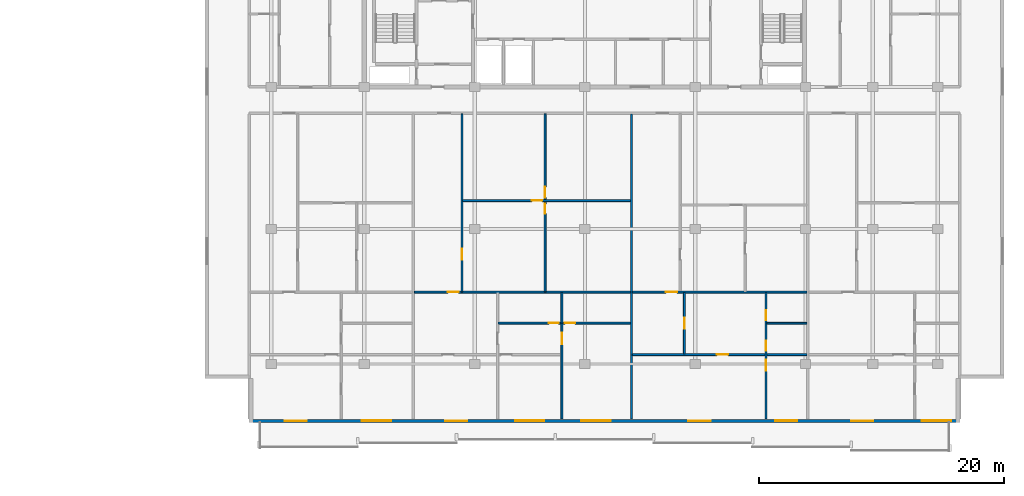
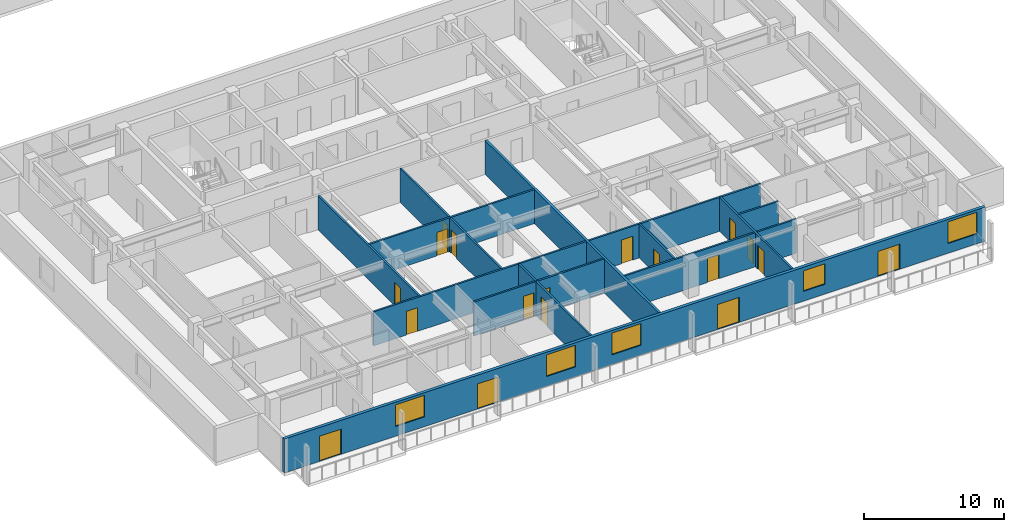
# One storey, part 5 of 22: 18 doors, 14 walls, 5 windows, 23 openings.
"""IFC4 building model written with IfcOpenShell, lengths in metres."""

from ifc_helpers import new_model, si_unit, direction, frame, frame_2d, origin, place, context, subcontext, project, spatial, rectangle, extrude, material, layer, layer_set, type_object, element, fill, save


model = new_model("IFC4")

# Units and contexts
model_context = context("Model", 3, precision=1e-05, world=origin(), true_north=direction((0.0, 1.0)))
body_context = subcontext(model_context, "Body", "Model", "MODEL_VIEW")
ifc_project = project(units=[si_unit("LENGTHUNIT", "METRE"), si_unit("AREAUNIT", "SQUARE_METRE"), si_unit("VOLUMEUNIT", "CUBIC_METRE"), si_unit("PLANEANGLEUNIT", "RADIAN"), si_unit("MASSUNIT", "GRAM", prefix="KILO")], contexts=[model_context])

# Site, building, storey
site_placement = place(None, origin())
site = spatial("IfcSite", under=ifc_project, at=site_placement, CompositionType="ELEMENT")
building_placement = place(site_placement, origin())
building = spatial("IfcBuilding", under=site, at=building_placement, Name="Korimba Cascade Residences", CompositionType="ELEMENT")
storey_placement = place(building_placement, frame((0.0, 0.0, 84.050048828125)))
storey = spatial("IfcBuildingStorey", under=building, at=storey_placement, Name="L23", CompositionType="ELEMENT", Elevation=84.050048828125)

# Wall, openings, doors, windows
ifc_material_1 = material(Name="Precast concrete C40/50", Category="concrete")
ifc_layer_1 = layer(ifc_material_1, 0.25)
ifc_layer_set_1 = layer_set([ifc_layer_1], Name="Precast concrete C40/50")
wall_type_1 = type_object("IfcWallType", Name="EW-LOG-250", PredefinedType="STANDARD", material=ifc_layer_set_1)
wall_1_placement = place(storey_placement, frame((72.699951171875, -8.85009765625, 0.0), z_axis=(0.0, 0.0, 1.0), x_axis=(1.0, 0.0, 0.0)))
wall_1 = element("IfcWall", 1, at=wall_1_placement, inside=storey, type_object=wall_type_1, Name="L23 T2 Perimeter Stone Wall E00", PredefinedType="STANDARD", context=body_context, shape_type="SweptSolid", body=[
    extrude(rectangle(XDim=58.0, YDim=0.25, at=frame_2d((29.0, 0.0))), origin(), (0.0, 0.0, 1.0), 2.969970703125),
])
opening_1_placement = place(wall_1_placement, frame((2.919921875, 0.0, 0.0)))
opening_1 = element("IfcOpeningElement", 2, at=opening_1_placement, cuts=wall_1, Name="Opening D-LG1", PredefinedType="OPENING", context=body_context, shape_type="SweptSolid", body=[
    extrude(rectangle(XDim=1.800048828125, YDim=2.199951171875, at=frame_2d((0.89990234375, 1.10009765625))), frame((0.0, 0.135009765625, 0.0), z_axis=(0.0, -1.0, 0.0), x_axis=(1.0, 0.0, 0.0)), (0.0, 0.0, 1.0), 0.27001953125),
])
opening_2_placement = place(wall_1_placement, frame((9.199951171875, 0.0, 0.85009765625)))
opening_2 = element("IfcOpeningElement", 3, at=opening_2_placement, cuts=wall_1, Name="Opening W-01", PredefinedType="OPENING", context=body_context, shape_type="SweptSolid", body=[
    extrude(rectangle(XDim=2.39990234375, YDim=1.89990234375, at=frame_2d((1.199951171875, 0.949951171875))), frame((0.0, 0.135009765625, 0.0), z_axis=(0.0, -1.0, 0.0), x_axis=(1.0, 0.0, 0.0)), (0.0, 0.0, 1.0), 0.27001953125),
])
opening_3_placement = place(wall_1_placement, frame((21.699951171875, 0.0, 0.85009765625)))
opening_3 = element("IfcOpeningElement", 4, at=opening_3_placement, cuts=wall_1, Name="Opening W-01", PredefinedType="OPENING", context=body_context, shape_type="SweptSolid", body=[
    extrude(rectangle(XDim=2.39990234375, YDim=1.89990234375, at=frame_2d((1.199951171875, 0.949951171875))), frame((0.0, 0.135009765625, 0.0), z_axis=(0.0, -1.0, 0.0), x_axis=(1.0, 0.0, 0.0)), (0.0, 0.0, 1.0), 0.27001953125),
])
opening_4_placement = place(wall_1_placement, frame((16.0, 0.0, 0.0)))
opening_4 = element("IfcOpeningElement", 5, at=opening_4_placement, cuts=wall_1, Name="Opening D-LG1", PredefinedType="OPENING", context=body_context, shape_type="SweptSolid", body=[
    extrude(rectangle(XDim=1.800048828125, YDim=2.199951171875, at=frame_2d((0.89990234375, 1.10009765625))), frame((0.0, 0.135009765625, 0.0), z_axis=(0.0, -1.0, 0.0), x_axis=(1.0, 0.0, 0.0)), (0.0, 0.0, 1.0), 0.27001953125),
])
opening_5_placement = place(wall_1_placement, frame((27.10009765625, 0.0, 0.85009765625)))
opening_5 = element("IfcOpeningElement", 6, at=opening_5_placement, cuts=wall_1, Name="Opening W-01", PredefinedType="OPENING", context=body_context, shape_type="SweptSolid", body=[
    extrude(rectangle(XDim=2.39990234375, YDim=1.89990234375, at=frame_2d((1.199951171875, 0.949951171875))), frame((0.0, 0.135009765625, 0.0), z_axis=(0.0, -1.0, 0.0), x_axis=(1.0, 0.0, 0.0)), (0.0, 0.0, 1.0), 0.27001953125),
])
opening_6_placement = place(wall_1_placement, frame((35.85009765625, 0.0, 0.0)))
opening_6 = element("IfcOpeningElement", 7, at=opening_6_placement, cuts=wall_1, Name="Opening D-LG1", PredefinedType="OPENING", context=body_context, shape_type="SweptSolid", body=[
    extrude(rectangle(XDim=1.800048828125, YDim=2.199951171875, at=frame_2d((0.89990234375, 1.10009765625))), frame((0.0, 0.135009765625, 0.0), z_axis=(0.0, -1.0, 0.0), x_axis=(1.0, 0.0, 0.0)), (0.0, 0.0, 1.0), 0.27001953125),
])
opening_7_placement = place(wall_1_placement, frame((42.929931640625, 0.0, 0.85009765625)))
opening_7 = element("IfcOpeningElement", 8, at=opening_7_placement, cuts=wall_1, Name="Opening W-02", PredefinedType="OPENING", context=body_context, shape_type="SweptSolid", body=[
    extrude(rectangle(XDim=1.800048828125, YDim=1.800048828125, at=frame_2d((0.89990234375, 0.89990234375))), frame((0.0, 0.135009765625, 0.0), z_axis=(0.0, -1.0, 0.0), x_axis=(1.0, 0.0, 0.0)), (0.0, 0.0, 1.0), 0.27001953125),
])
opening_8_placement = place(wall_1_placement, frame((49.1201171875, 0.0, 0.0)))
opening_8 = element("IfcOpeningElement", 9, at=opening_8_placement, cuts=wall_1, Name="Opening D-LG1", PredefinedType="OPENING", context=body_context, shape_type="SweptSolid", body=[
    extrude(rectangle(XDim=1.800048828125, YDim=2.199951171875, at=frame_2d((0.89990234375, 1.10009765625))), frame((0.0, 0.135009765625, 0.0), z_axis=(0.0, -1.0, 0.0), x_axis=(1.0, 0.0, 0.0)), (0.0, 0.0, 1.0), 0.27001953125),
])
opening_9_placement = place(wall_1_placement, frame((54.89990234375, 0.0, 0.85009765625)))
opening_9 = element("IfcOpeningElement", 10, at=opening_9_placement, cuts=wall_1, Name="Opening W-01", PredefinedType="OPENING", context=body_context, shape_type="SweptSolid", body=[
    extrude(rectangle(XDim=2.39990234375, YDim=1.89990234375, at=frame_2d((1.199951171875, 0.949951171875))), frame((0.0, 0.135009765625, 0.0), z_axis=(0.0, -1.0, 0.0), x_axis=(1.0, 0.0, 0.0)), (0.0, 0.0, 1.0), 0.27001953125),
])
ifc_material_2 = material(Name="Glazed Aluminium Loggia Sliding Door", Category="aluminium")
door_type_1 = type_object("IfcDoorType", Name="DR-EXT-LOG", OperationType="NOTDEFINED", PredefinedType="DOOR", material=ifc_material_2)
door_1_placement = place(opening_1_placement, origin())
door_1 = element("IfcDoor", 11, at=door_1_placement, inside=storey, type_object=door_type_1, Name="L23 T2 Loggia Sliding Door 3", OperationType="SLIDING_TO_RIGHT", OverallHeight=2.199951171875, OverallWidth=1.800048828125, PredefinedType="DOOR", context=body_context, shape_type="SweptSolid", body=[
    extrude(rectangle(XDim=1.800048828125, YDim=2.199951171875, at=frame_2d((0.89990234375, 1.10009765625))), frame((0.0, 0.02490234375, 0.0), z_axis=(0.0, -1.0, 0.0), x_axis=(1.0, 0.0, 0.0)), (0.0, 0.0, 1.0), 0.050048828125),
])
fill(opening_1, door_1)
door_2_placement = place(opening_4_placement, origin())
door_2 = element("IfcDoor", 12, at=door_2_placement, inside=storey, type_object=door_type_1, Name="L23 T2 Loggia Sliding Door 6", OperationType="SLIDING_TO_RIGHT", OverallHeight=2.199951171875, OverallWidth=1.800048828125, PredefinedType="DOOR", context=body_context, shape_type="SweptSolid", body=[
    extrude(rectangle(XDim=1.800048828125, YDim=2.199951171875, at=frame_2d((0.89990234375, 1.10009765625))), frame((0.0, 0.02490234375, 0.0), z_axis=(0.0, -1.0, 0.0), x_axis=(1.0, 0.0, 0.0)), (0.0, 0.0, 1.0), 0.050048828125),
])
fill(opening_4, door_2)
door_3_placement = place(opening_6_placement, origin())
door_3 = element("IfcDoor", 13, at=door_3_placement, inside=storey, type_object=door_type_1, Name="L23 T2 Loggia Sliding Door 8", OperationType="SLIDING_TO_RIGHT", OverallHeight=2.199951171875, OverallWidth=1.800048828125, PredefinedType="DOOR", context=body_context, shape_type="SweptSolid", body=[
    extrude(rectangle(XDim=1.800048828125, YDim=2.199951171875, at=frame_2d((0.89990234375, 1.10009765625))), frame((0.0, 0.02490234375, 0.0), z_axis=(0.0, -1.0, 0.0), x_axis=(1.0, 0.0, 0.0)), (0.0, 0.0, 1.0), 0.050048828125),
])
fill(opening_6, door_3)
door_4_placement = place(opening_8_placement, origin())
door_4 = element("IfcDoor", 14, at=door_4_placement, inside=storey, type_object=door_type_1, Name="L23 T2 Loggia Sliding Door 10", OperationType="SLIDING_TO_RIGHT", OverallHeight=2.199951171875, OverallWidth=1.800048828125, PredefinedType="DOOR", context=body_context, shape_type="SweptSolid", body=[
    extrude(rectangle(XDim=1.800048828125, YDim=2.199951171875, at=frame_2d((0.89990234375, 1.10009765625))), frame((0.0, 0.02490234375, 0.0), z_axis=(0.0, -1.0, 0.0), x_axis=(1.0, 0.0, 0.0)), (0.0, 0.0, 1.0), 0.050048828125),
])
fill(opening_8, door_4)
ifc_material_3 = material(Name="Double-Glazed Aluminium Window", Category="aluminium")
window_type_1 = type_object("IfcWindowType", Name="WIN-BED-1800", PartitioningType="SINGLE_PANEL", PredefinedType="WINDOW", material=ifc_material_3)
window_1_placement = place(opening_7_placement, origin())
window_1 = element("IfcWindow", 15, at=window_1_placement, inside=storey, type_object=window_type_1, Name="L23 T2 South Facade Window 9", OverallHeight=1.800048828125, OverallWidth=1.800048828125, PartitioningType="SINGLE_PANEL", PredefinedType="WINDOW", context=body_context, shape_type="SweptSolid", body=[
    extrude(rectangle(XDim=1.800048828125, YDim=1.800048828125, at=frame_2d((0.89990234375, 0.89990234375))), frame((0.0, 0.030029296875, 0.0), z_axis=(0.0, -1.0, 0.0), x_axis=(1.0, 0.0, 0.0)), (0.0, 0.0, 1.0), 0.06005859375),
])
fill(opening_7, window_1)
window_type_2 = type_object("IfcWindowType", Name="WIN-RES-2400", PartitioningType="DOUBLE_PANEL_VERTICAL", PredefinedType="WINDOW", material=ifc_material_3)
window_2_placement = place(opening_2_placement, origin())
window_2 = element("IfcWindow", 16, at=window_2_placement, inside=storey, type_object=window_type_2, Name="L23 T2 South Facade Window 4", OverallHeight=1.89990234375, OverallWidth=2.39990234375, PartitioningType="DOUBLE_PANEL_VERTICAL", PredefinedType="WINDOW", context=body_context, shape_type="SweptSolid", body=[
    extrude(rectangle(XDim=2.39990234375, YDim=1.89990234375, at=frame_2d((1.199951171875, 0.949951171875))), frame((0.0, 0.030029296875, 0.0), z_axis=(0.0, -1.0, 0.0), x_axis=(1.0, 0.0, 0.0)), (0.0, 0.0, 1.0), 0.06005859375),
])
fill(opening_2, window_2)
window_3_placement = place(opening_3_placement, origin())
window_3 = element("IfcWindow", 17, at=window_3_placement, inside=storey, type_object=window_type_2, Name="L23 T2 South Facade Window 5", OverallHeight=1.89990234375, OverallWidth=2.39990234375, PartitioningType="DOUBLE_PANEL_VERTICAL", PredefinedType="WINDOW", context=body_context, shape_type="SweptSolid", body=[
    extrude(rectangle(XDim=2.39990234375, YDim=1.89990234375, at=frame_2d((1.199951171875, 0.949951171875))), frame((0.0, 0.030029296875, 0.0), z_axis=(0.0, -1.0, 0.0), x_axis=(1.0, 0.0, 0.0)), (0.0, 0.0, 1.0), 0.06005859375),
])
fill(opening_3, window_3)
window_4_placement = place(opening_5_placement, origin())
window_4 = element("IfcWindow", 18, at=window_4_placement, inside=storey, type_object=window_type_2, Name="L23 T2 South Facade Window 7", OverallHeight=1.89990234375, OverallWidth=2.39990234375, PartitioningType="DOUBLE_PANEL_VERTICAL", PredefinedType="WINDOW", context=body_context, shape_type="SweptSolid", body=[
    extrude(rectangle(XDim=2.39990234375, YDim=1.89990234375, at=frame_2d((1.199951171875, 0.949951171875))), frame((0.0, 0.030029296875, 0.0), z_axis=(0.0, -1.0, 0.0), x_axis=(1.0, 0.0, 0.0)), (0.0, 0.0, 1.0), 0.06005859375),
])
fill(opening_5, window_4)
window_5_placement = place(opening_9_placement, origin())
window_5 = element("IfcWindow", 19, at=window_5_placement, inside=storey, type_object=window_type_2, Name="L23 T2 South Facade Window 11", OverallHeight=1.89990234375, OverallWidth=2.39990234375, PartitioningType="DOUBLE_PANEL_VERTICAL", PredefinedType="WINDOW", context=body_context, shape_type="SweptSolid", body=[
    extrude(rectangle(XDim=2.39990234375, YDim=1.89990234375, at=frame_2d((1.199951171875, 0.949951171875))), frame((0.0, 0.030029296875, 0.0), z_axis=(0.0, -1.0, 0.0), x_axis=(1.0, 0.0, 0.0)), (0.0, 0.0, 1.0), 0.06005859375),
])
fill(opening_9, window_5)

# Wall
ifc_layer_2 = layer(ifc_material_1, 0.199951171875)
ifc_layer_set_2 = layer_set([ifc_layer_2], Name="Precast concrete C40/50")
wall_type_2 = type_object("IfcWallType", Name="WAL-IT-200", PredefinedType="PARTITIONING", material=ifc_layer_set_2)
wall_2_placement = place(storey_placement, frame((103.89990234375, -8.699951171875, 0.0), z_axis=(0.0, 0.0, 1.0), x_axis=(0.0, 1.0, 0.0)))
element("IfcWall", 20, at=wall_2_placement, inside=storey, type_object=wall_type_2, Name="L23 Partition Wall WAL-L23-T2-DEM-2", PredefinedType="PARTITIONING", context=body_context, shape_type="SweptSolid", body=[
    extrude(rectangle(XDim=24.869873046875, YDim=0.199951171875, at=frame_2d((12.43505859375, 0.0))), origin(), (0.0, 0.0, 1.0), 2.969970703125),
])

# Wall, openings, doors
ifc_material_4 = material(Name="Insulated Acoustic Stud Partition", Category="gypsum")
ifc_layer_3 = layer(ifc_material_4, 0.14990234375)
ifc_layer_set_3 = layer_set([ifc_layer_3], Name="Insulated Acoustic Stud Partition")
wall_type_3 = type_object("IfcWallType", Name="WAL-PART-150", PredefinedType="PARTITIONING", material=ifc_layer_set_3)
wall_3_placement = place(storey_placement, frame((96.85498046875, 1.68994140625, 0.0), z_axis=(0.0, 0.0, 1.0), x_axis=(0.0, 1.0, 0.0)))
wall_3 = element("IfcWall", 21, at=wall_3_placement, inside=storey, type_object=wall_type_3, Name="L23 Partition Wall WAL-L23-T2-U02-FMV", PredefinedType="PARTITIONING", context=body_context, shape_type="SweptSolid", body=[
    extrude(rectangle(XDim=14.5, YDim=0.14990234375, at=frame_2d((7.25, 0.0))), origin(), (0.0, 0.0, 1.0), 2.969970703125),
])
opening_10_placement = place(wall_3_placement, frame((6.340087890625, 0.0, 0.0)))
opening_10 = element("IfcOpeningElement", 22, at=opening_10_placement, cuts=wall_3, Name="Opening D-BT1", PredefinedType="OPENING", context=body_context, shape_type="SweptSolid", body=[
    extrude(rectangle(XDim=0.840087890625, YDim=2.0400390625, at=frame_2d((0.419921875, 1.02001953125))), frame((0.0, 0.0849609375, 0.0), z_axis=(0.0, -1.0, 0.0), x_axis=(1.0, 0.0, 0.0)), (0.0, 0.0, 1.0), 0.169921875),
])
opening_11_placement = place(wall_3_placement, frame((7.679931640625, 0.0, 0.0)))
opening_11 = element("IfcOpeningElement", 23, at=opening_11_placement, cuts=wall_3, Name="Opening D-IN2", PredefinedType="OPENING", context=body_context, shape_type="SweptSolid", body=[
    extrude(rectangle(XDim=0.8798828125, YDim=2.06005859375, at=frame_2d((0.43994140625, 1.030029296875))), frame((0.0, 0.0849609375, 0.0), z_axis=(0.0, -1.0, 0.0), x_axis=(1.0, 0.0, 0.0)), (0.0, 0.0, 1.0), 0.169921875),
])
ifc_material_5 = material(Name="Moisture-Resistant Bathroom Timber Door", Category="wood")
door_type_2 = type_object("IfcDoorType", Name="DR-INT-850", OperationType="NOTDEFINED", PredefinedType="DOOR", material=ifc_material_5)
door_5_placement = place(opening_10_placement, origin())
door_5 = element("IfcDoor", 24, at=door_5_placement, inside=storey, type_object=door_type_2, Name="L23-T2-U02 Wardrobe Door", OperationType="SINGLE_SWING_RIGHT", OverallHeight=2.0400390625, OverallWidth=0.840087890625, PredefinedType="DOOR", context=body_context, shape_type="SweptSolid", body=[
    extrude(rectangle(XDim=0.840087890625, YDim=2.0400390625, at=frame_2d((0.419921875, 1.02001953125))), frame((0.0, 0.02490234375, 0.0), z_axis=(0.0, -1.0, 0.0), x_axis=(1.0, 0.0, 0.0)), (0.0, 0.0, 1.0), 0.050048828125),
])
fill(opening_10, door_5)
ifc_material_6 = material(Name="Acoustic Timber Bedroom Door", Category="wood")
door_type_3 = type_object("IfcDoorType", Name="DR-INT-880", OperationType="NOTDEFINED", PredefinedType="DOOR", material=ifc_material_6)
door_6_placement = place(opening_11_placement, origin())
door_6 = element("IfcDoor", 25, at=door_6_placement, inside=storey, type_object=door_type_3, Name="L23-T2-U02 Music Lounge Door", OperationType="SINGLE_SWING_LEFT", OverallHeight=2.06005859375, OverallWidth=0.8798828125, PredefinedType="DOOR", context=body_context, shape_type="SweptSolid", body=[
    extrude(rectangle(XDim=0.8798828125, YDim=2.06005859375, at=frame_2d((0.43994140625, 1.030029296875))), frame((0.0, 0.02490234375, 0.0), z_axis=(0.0, -1.0, 0.0), x_axis=(1.0, 0.0, 0.0)), (0.0, 0.0, 1.0), 0.050048828125),
])
fill(opening_11, door_6)

# Wall, opening, door
wall_4_placement = place(storey_placement, frame((90.1298828125, 9.1201171875, 0.0), z_axis=(0.0, 0.0, 1.0), x_axis=(1.0, 0.0, 0.0)))
wall_4 = element("IfcWall", 26, at=wall_4_placement, inside=storey, type_object=wall_type_3, Name="L23 Partition Wall WAL-L23-T2-U02-FMH", PredefinedType="PARTITIONING", context=body_context, shape_type="SweptSolid", body=[
    extrude(rectangle(XDim=13.690185546875, YDim=0.14990234375, at=frame_2d((6.84521484375, 0.0))), origin(), (0.0, 0.0, 1.0), 2.969970703125),
])
opening_12_placement = place(wall_4_placement, frame((5.625, 0.0, 0.0)))
opening_12 = element("IfcOpeningElement", 27, at=opening_12_placement, cuts=wall_4, Name="Opening D-IN2", PredefinedType="OPENING", context=body_context, shape_type="SweptSolid", body=[
    extrude(rectangle(XDim=0.8798828125, YDim=2.06005859375, at=frame_2d((0.43994140625, 1.030029296875))), frame((0.0, 0.0849609375, 0.0), z_axis=(0.0, -1.0, 0.0), x_axis=(1.0, 0.0, 0.0)), (0.0, 0.0, 1.0), 0.169921875),
])
door_7_placement = place(opening_12_placement, origin())
door_7 = element("IfcDoor", 28, at=door_7_placement, inside=storey, type_object=door_type_3, Name="L23-T2-U02 Library Salon Door", OperationType="SINGLE_SWING_RIGHT", OverallHeight=2.06005859375, OverallWidth=0.8798828125, PredefinedType="DOOR", context=body_context, shape_type="SweptSolid", body=[
    extrude(rectangle(XDim=0.8798828125, YDim=2.06005859375, at=frame_2d((0.43994140625, 1.030029296875))), frame((0.0, 0.02490234375, 0.0), z_axis=(0.0, -1.0, 0.0), x_axis=(1.0, 0.0, 0.0)), (0.0, 0.0, 1.0), 0.050048828125),
])
fill(opening_12, door_7)

wall_5_placement = place(storey_placement, frame((90.070068359375, 1.68994140625, 0.0), z_axis=(0.0, 0.0, 1.0), x_axis=(0.0, 1.0, 0.0)))
wall_5 = element("IfcWall", 29, at=wall_5_placement, inside=storey, type_object=wall_type_3, Name="L23 Partition Wall WAL-L23-T2-U02-FV", PredefinedType="PARTITIONING", context=body_context, shape_type="SweptSolid", body=[
    extrude(rectangle(XDim=14.5, YDim=0.14990234375, at=frame_2d((7.25, 0.0))), origin(), (0.0, 0.0, 1.0), 2.969970703125),
])
opening_13_placement = place(wall_5_placement, frame((2.611083984375, 0.0, 0.0)))
opening_13 = element("IfcOpeningElement", 30, at=opening_13_placement, cuts=wall_5, Name="Opening D-IN2", PredefinedType="OPENING", context=body_context, shape_type="SweptSolid", body=[
    extrude(rectangle(XDim=0.8798828125, YDim=2.06005859375, at=frame_2d((0.43994140625, 1.030029296875))), frame((0.0, 0.0849609375, 0.0), z_axis=(0.0, -1.0, 0.0), x_axis=(1.0, 0.0, 0.0)), (0.0, 0.0, 1.0), 0.169921875),
])
door_8_placement = place(opening_13_placement, origin())
door_8 = element("IfcDoor", 31, at=door_8_placement, inside=storey, type_object=door_type_3, Name="L23-T2-U02 Media Lounge Door", OperationType="SINGLE_SWING_LEFT", OverallHeight=2.06005859375, OverallWidth=0.8798828125, PredefinedType="DOOR", context=body_context, shape_type="SweptSolid", body=[
    extrude(rectangle(XDim=0.8798828125, YDim=2.06005859375, at=frame_2d((0.43994140625, 1.030029296875))), frame((0.0, 0.02490234375, 0.0), z_axis=(0.0, -1.0, 0.0), x_axis=(1.0, 0.0, 0.0)), (0.0, 0.0, 1.0), 0.050048828125),
])
fill(opening_13, door_8)

# Wall
wall_6_placement = place(storey_placement, frame((98.219970703125, -0.860107421875, 0.0), z_axis=(0.0, 0.0, 1.0), x_axis=(0.0, 1.0, 0.0)))
element("IfcWall", 32, at=wall_6_placement, inside=storey, type_object=wall_type_3, Name="L23 Partition Wall WAL-L23-T2-U02-VBATH", PredefinedType="PARTITIONING", context=body_context, shape_type="SweptSolid", body=[
    extrude(rectangle(XDim=2.47021484375, YDim=0.14990234375, at=frame_2d((1.235107421875, 0.0))), origin(), (0.0, 0.0, 1.0), 2.969970703125),
])

# Wall, opening, door
wall_7_placement = place(storey_placement, frame((98.219970703125, -8.699951171875, 0.0), z_axis=(0.0, 0.0, 1.0), x_axis=(0.0, 1.0, 0.0)))
wall_7 = element("IfcWall", 33, at=wall_7_placement, inside=storey, type_object=wall_type_3, Name="L23 Partition Wall WAL-L23-T2-U02-V2FULL", PredefinedType="PARTITIONING", context=body_context, shape_type="SweptSolid", body=[
    extrude(rectangle(XDim=7.800048828125, YDim=0.14990234375, at=frame_2d((3.89990234375, 0.0))), origin(), (0.0, 0.0, 1.0), 2.969970703125),
])
opening_14_placement = place(wall_7_placement, frame((6.115966796875, 0.0, 0.0)))
opening_14 = element("IfcOpeningElement", 34, at=opening_14_placement, cuts=wall_7, Name="Opening D-IN1", PredefinedType="OPENING", context=body_context, shape_type="SweptSolid", body=[
    extrude(rectangle(XDim=0.919921875, YDim=2.080078125, at=frame_2d((0.4599609375, 1.0400390625))), frame((0.0, 0.0849609375, 0.0), z_axis=(0.0, -1.0, 0.0), x_axis=(1.0, 0.0, 0.0)), (0.0, 0.0, 1.0), 0.169921875),
])
ifc_material_7 = material(Name="Acoustic Timber Living Door", Category="wood")
door_type_4 = type_object("IfcDoorType", Name="DR-INT-920", OperationType="NOTDEFINED", PredefinedType="DOOR", material=ifc_material_7)
door_9_placement = place(opening_14_placement, origin())
door_9 = element("IfcDoor", 35, at=door_9_placement, inside=storey, type_object=door_type_4, Name="L23-T2-U02 Master Bedroom Door", OperationType="SINGLE_SWING_LEFT", OverallHeight=2.080078125, OverallWidth=0.919921875, PredefinedType="DOOR", context=body_context, shape_type="SweptSolid", body=[
    extrude(rectangle(XDim=0.919921875, YDim=2.080078125, at=frame_2d((0.4599609375, 1.0400390625))), frame((0.0, 0.02490234375, 0.0), z_axis=(0.0, -1.0, 0.0), x_axis=(1.0, 0.0, 0.0)), (0.0, 0.0, 1.0), 0.050048828125),
])
fill(opening_14, door_9)

# Wall, openings, doors
wall_8_placement = place(storey_placement, frame((93.02001953125, -0.8798828125, 0.0), z_axis=(0.0, 0.0, 1.0), x_axis=(1.0, 0.0, 0.0)))
wall_8 = element("IfcWall", 36, at=wall_8_placement, inside=storey, type_object=wall_type_3, Name="L23 Partition Wall WAL-L23-T2-U02-HWALL", PredefinedType="PARTITIONING", context=body_context, shape_type="SweptSolid", body=[
    extrude(rectangle(XDim=10.800048828125, YDim=0.14990234375, at=frame_2d((5.39990234375, 0.0))), origin(), (0.0, 0.0, 1.0), 2.969970703125),
])
opening_15_placement = place(wall_8_placement, frame((4.110107421875, 0.0, 0.0)))
opening_15 = element("IfcOpeningElement", 37, at=opening_15_placement, cuts=wall_8, Name="Opening D-BT1", PredefinedType="OPENING", context=body_context, shape_type="SweptSolid", body=[
    extrude(rectangle(XDim=0.840087890625, YDim=2.0400390625, at=frame_2d((0.419921875, 1.02001953125))), frame((0.0, 0.0849609375, 0.0), z_axis=(0.0, -1.0, 0.0), x_axis=(1.0, 0.0, 0.0)), (0.0, 0.0, 1.0), 0.169921875),
])
opening_16_placement = place(wall_8_placement, frame((5.449951171875, 0.0, 0.0)))
opening_16 = element("IfcOpeningElement", 38, at=opening_16_placement, cuts=wall_8, Name="Opening D-BT1", PredefinedType="OPENING", context=body_context, shape_type="SweptSolid", body=[
    extrude(rectangle(XDim=0.840087890625, YDim=2.0400390625, at=frame_2d((0.419921875, 1.02001953125))), frame((0.0, 0.0849609375, 0.0), z_axis=(0.0, -1.0, 0.0), x_axis=(1.0, 0.0, 0.0)), (0.0, 0.0, 1.0), 0.169921875),
])
door_10_placement = place(opening_15_placement, origin())
door_10 = element("IfcDoor", 39, at=door_10_placement, inside=storey, type_object=door_type_2, Name="L23-T2-U02 Family Bathroom Door", OperationType="SINGLE_SWING_RIGHT", OverallHeight=2.0400390625, OverallWidth=0.840087890625, PredefinedType="DOOR", context=body_context, shape_type="SweptSolid", body=[
    extrude(rectangle(XDim=0.840087890625, YDim=2.0400390625, at=frame_2d((0.419921875, 1.02001953125))), frame((0.0, 0.02490234375, 0.0), z_axis=(0.0, -1.0, 0.0), x_axis=(1.0, 0.0, 0.0)), (0.0, 0.0, 1.0), 0.050048828125),
])
fill(opening_15, door_10)
door_11_placement = place(opening_16_placement, origin())
door_11 = element("IfcDoor", 40, at=door_11_placement, inside=storey, type_object=door_type_2, Name="L23-T2-U02 En-Suite Door", OperationType="SINGLE_SWING_LEFT", OverallHeight=2.0400390625, OverallWidth=0.840087890625, PredefinedType="DOOR", context=body_context, shape_type="SweptSolid", body=[
    extrude(rectangle(XDim=0.840087890625, YDim=2.0400390625, at=frame_2d((0.419921875, 1.02001953125))), frame((0.0, 0.02490234375, 0.0), z_axis=(0.0, -1.0, 0.0), x_axis=(1.0, 0.0, 0.0)), (0.0, 0.0, 1.0), 0.050048828125),
])
fill(opening_16, door_11)

# Wall, opening, door
wall_9_placement = place(storey_placement, frame((86.179931640625, 1.64990234375, 0.0), z_axis=(0.0, 0.0, 1.0), x_axis=(1.0, 0.0, 0.0)))
wall_9 = element("IfcWall", 41, at=wall_9_placement, inside=storey, type_object=wall_type_3, Name="L23 Partition Wall WAL-L23-T2-U02-MW", PredefinedType="PARTITIONING", context=body_context, shape_type="SweptSolid", body=[
    extrude(rectangle(XDim=17.64013671875, YDim=0.14990234375, at=frame_2d((8.820068359375, 0.0))), origin(), (0.0, 0.0, 1.0), 2.969970703125),
])
opening_17_placement = place(wall_9_placement, frame((2.719970703125, 0.0, 0.0)))
opening_17 = element("IfcOpeningElement", 42, at=opening_17_placement, cuts=wall_9, Name="Opening D-IN1", PredefinedType="OPENING", context=body_context, shape_type="SweptSolid", body=[
    extrude(rectangle(XDim=0.919921875, YDim=2.080078125, at=frame_2d((0.4599609375, 1.0400390625))), frame((0.0, 0.0849609375, 0.0), z_axis=(0.0, -1.0, 0.0), x_axis=(1.0, 0.0, 0.0)), (0.0, 0.0, 1.0), 0.169921875),
])
door_12_placement = place(opening_17_placement, origin())
door_12 = element("IfcDoor", 43, at=door_12_placement, inside=storey, type_object=door_type_4, Name="L23-T2-U02 Kitchen Door", OperationType="SINGLE_SWING_RIGHT", OverallHeight=2.080078125, OverallWidth=0.919921875, PredefinedType="DOOR", context=body_context, shape_type="SweptSolid", body=[
    extrude(rectangle(XDim=0.919921875, YDim=2.080078125, at=frame_2d((0.4599609375, 1.0400390625))), frame((0.0, 0.02490234375, 0.0), z_axis=(0.0, -1.0, 0.0), x_axis=(1.0, 0.0, 0.0)), (0.0, 0.0, 1.0), 0.050048828125),
])
fill(opening_17, door_12)

wall_10_placement = place(storey_placement, frame((108.219970703125, -3.389892578125, 0.0), z_axis=(0.0, 0.0, 1.0), x_axis=(0.0, 1.0, 0.0)))
wall_10 = element("IfcWall", 44, at=wall_10_placement, inside=storey, type_object=wall_type_3, Name="L23 Partition Wall WAL-L23-T2-U03-VDIN", PredefinedType="PARTITIONING", context=body_context, shape_type="SweptSolid", body=[
    extrude(rectangle(XDim=5.0, YDim=0.14990234375, at=frame_2d((2.5, 0.0))), origin(), (0.0, 0.0, 1.0), 2.969970703125),
])
opening_18_placement = place(wall_10_placement, frame((2.06005859375, 0.0, 0.0)))
opening_18 = element("IfcOpeningElement", 45, at=opening_18_placement, cuts=wall_10, Name="Opening D-IN2", PredefinedType="OPENING", context=body_context, shape_type="SweptSolid", body=[
    extrude(rectangle(XDim=0.8798828125, YDim=2.06005859375, at=frame_2d((0.43994140625, 1.030029296875))), frame((0.0, 0.0849609375, 0.0), z_axis=(0.0, -1.0, 0.0), x_axis=(1.0, 0.0, 0.0)), (0.0, 0.0, 1.0), 0.169921875),
])
door_13_placement = place(opening_18_placement, origin())
door_13 = element("IfcDoor", 46, at=door_13_placement, inside=storey, type_object=door_type_3, Name="L23-T2-U03 Dining Room Door", OperationType="SINGLE_SWING_RIGHT", OverallHeight=2.06005859375, OverallWidth=0.8798828125, PredefinedType="DOOR", context=body_context, shape_type="SweptSolid", body=[
    extrude(rectangle(XDim=0.8798828125, YDim=2.06005859375, at=frame_2d((0.43994140625, 1.030029296875))), frame((0.0, 0.02490234375, 0.0), z_axis=(0.0, -1.0, 0.0), x_axis=(1.0, 0.0, 0.0)), (0.0, 0.0, 1.0), 0.050048828125),
])
fill(opening_18, door_13)

# Wall
wall_11_placement = place(storey_placement, frame((114.93994140625, -0.889892578125, 0.0), z_axis=(0.0, 0.0, 1.0), x_axis=(1.0, 0.0, 0.0)))
element("IfcWall", 47, at=wall_11_placement, inside=storey, type_object=wall_type_3, Name="L23 Partition Wall WAL-L23-T2-U03-BLDIV", PredefinedType="PARTITIONING", context=body_context, shape_type="SweptSolid", body=[
    extrude(rectangle(XDim=3.280029296875, YDim=0.14990234375, at=frame_2d((1.64013671875, 0.0))), origin(), (0.0, 0.0, 1.0), 2.969970703125),
])

# Wall, openings, doors
wall_12_placement = place(storey_placement, frame((114.8798828125, -8.699951171875, 0.0), z_axis=(0.0, 0.0, 1.0), x_axis=(0.0, 1.0, 0.0)))
wall_12 = element("IfcWall", 48, at=wall_12_placement, inside=storey, type_object=wall_type_3, Name="L23 Partition Wall WAL-L23-T2-U03-V1", PredefinedType="PARTITIONING", context=body_context, shape_type="SweptSolid", body=[
    extrude(rectangle(XDim=10.31005859375, YDim=0.14990234375, at=frame_2d((5.155029296875, 0.0))), origin(), (0.0, 0.0, 1.0), 2.969970703125),
])
opening_19_placement = place(wall_12_placement, frame((5.550048828125, 0.0, 0.0)))
opening_19 = element("IfcOpeningElement", 49, at=opening_19_placement, cuts=wall_12, Name="Opening D-BT1", PredefinedType="OPENING", context=body_context, shape_type="SweptSolid", body=[
    extrude(rectangle(XDim=0.840087890625, YDim=2.0400390625, at=frame_2d((0.419921875, 1.02001953125))), frame((0.0, 0.0849609375, 0.0), z_axis=(0.0, -1.0, 0.0), x_axis=(1.0, 0.0, 0.0)), (0.0, 0.0, 1.0), 0.169921875),
])
opening_20_placement = place(wall_12_placement, frame((8.03955078125, 0.0, 0.0)))
opening_20 = element("IfcOpeningElement", 50, at=opening_20_placement, cuts=wall_12, Name="Opening D-BT1", PredefinedType="OPENING", context=body_context, shape_type="SweptSolid", body=[
    extrude(rectangle(XDim=0.840087890625, YDim=2.0400390625, at=frame_2d((0.419921875, 1.02001953125))), frame((0.0, 0.0849609375, 0.0), z_axis=(0.0, -1.0, 0.0), x_axis=(1.0, 0.0, 0.0)), (0.0, 0.0, 1.0), 0.169921875),
])
opening_21_placement = place(wall_12_placement, frame((3.949951171875, 0.0, 0.0)))
opening_21 = element("IfcOpeningElement", 51, at=opening_21_placement, cuts=wall_12, Name="Opening D-IN2", PredefinedType="OPENING", context=body_context, shape_type="SweptSolid", body=[
    extrude(rectangle(XDim=0.8798828125, YDim=2.06005859375, at=frame_2d((0.43994140625, 1.030029296875))), frame((0.0, 0.0849609375, 0.0), z_axis=(0.0, -1.0, 0.0), x_axis=(1.0, 0.0, 0.0)), (0.0, 0.0, 1.0), 0.169921875),
])
door_14_placement = place(opening_19_placement, origin())
door_14 = element("IfcDoor", 52, at=door_14_placement, inside=storey, type_object=door_type_2, Name="L23-T2-U03 Bathroom Door", OperationType="SINGLE_SWING_LEFT", OverallHeight=2.0400390625, OverallWidth=0.840087890625, PredefinedType="DOOR", context=body_context, shape_type="SweptSolid", body=[
    extrude(rectangle(XDim=0.840087890625, YDim=2.0400390625, at=frame_2d((0.419921875, 1.02001953125))), frame((0.0, 0.02490234375, 0.0), z_axis=(0.0, -1.0, 0.0), x_axis=(1.0, 0.0, 0.0)), (0.0, 0.0, 1.0), 0.050048828125),
])
fill(opening_19, door_14)
door_15_placement = place(opening_20_placement, origin())
door_15 = element("IfcDoor", 53, at=door_15_placement, inside=storey, type_object=door_type_2, Name="L23-T2-U03 Laundry Door", OperationType="SINGLE_SWING_RIGHT", OverallHeight=2.0400390625, OverallWidth=0.840087890625, PredefinedType="DOOR", context=body_context, shape_type="SweptSolid", body=[
    extrude(rectangle(XDim=0.840087890625, YDim=2.0400390625, at=frame_2d((0.419921875, 1.02001953125))), frame((0.0, 0.02490234375, 0.0), z_axis=(0.0, -1.0, 0.0), x_axis=(1.0, 0.0, 0.0)), (0.0, 0.0, 1.0), 0.050048828125),
])
fill(opening_20, door_15)
door_16_placement = place(opening_21_placement, origin())
door_16 = element("IfcDoor", 54, at=door_16_placement, inside=storey, type_object=door_type_3, Name="L23-T2-U03 Bedroom 1 Door", OperationType="SINGLE_SWING_LEFT", OverallHeight=2.06005859375, OverallWidth=0.8798828125, PredefinedType="DOOR", context=body_context, shape_type="SweptSolid", body=[
    extrude(rectangle(XDim=0.8798828125, YDim=2.06005859375, at=frame_2d((0.43994140625, 1.030029296875))), frame((0.0, 0.02490234375, 0.0), z_axis=(0.0, -1.0, 0.0), x_axis=(1.0, 0.0, 0.0)), (0.0, 0.0, 1.0), 0.050048828125),
])
fill(opening_21, door_16)

# Wall, opening, door
wall_13_placement = place(storey_placement, frame((103.97998046875, 1.64990234375, 0.0), z_axis=(0.0, 0.0, 1.0), x_axis=(1.0, 0.0, 0.0)))
wall_13 = element("IfcWall", 55, at=wall_13_placement, inside=storey, type_object=wall_type_3, Name="L23 Partition Wall WAL-L23-T2-U03-MW", PredefinedType="PARTITIONING", context=body_context, shape_type="SweptSolid", body=[
    extrude(rectangle(XDim=14.239990234375, YDim=0.14990234375, at=frame_2d((7.1201171875, 0.0))), origin(), (0.0, 0.0, 1.0), 2.969970703125),
])
opening_22_placement = place(wall_13_placement, frame((2.719970703125, 0.0, 0.0)))
opening_22 = element("IfcOpeningElement", 56, at=opening_22_placement, cuts=wall_13, Name="Opening D-IN1", PredefinedType="OPENING", context=body_context, shape_type="SweptSolid", body=[
    extrude(rectangle(XDim=0.919921875, YDim=2.080078125, at=frame_2d((0.4599609375, 1.0400390625))), frame((0.0, 0.0849609375, 0.0), z_axis=(0.0, -1.0, 0.0), x_axis=(1.0, 0.0, 0.0)), (0.0, 0.0, 1.0), 0.169921875),
])
door_17_placement = place(opening_22_placement, origin())
door_17 = element("IfcDoor", 57, at=door_17_placement, inside=storey, type_object=door_type_4, Name="L23-T2-U03 Kitchen Archway Door", OperationType="SINGLE_SWING_RIGHT", OverallHeight=2.080078125, OverallWidth=0.919921875, PredefinedType="DOOR", context=body_context, shape_type="SweptSolid", body=[
    extrude(rectangle(XDim=0.919921875, YDim=2.080078125, at=frame_2d((0.4599609375, 1.0400390625))), frame((0.0, 0.02490234375, 0.0), z_axis=(0.0, -1.0, 0.0), x_axis=(1.0, 0.0, 0.0)), (0.0, 0.0, 1.0), 0.050048828125),
])
fill(opening_22, door_17)

wall_14_placement = place(storey_placement, frame((103.97998046875, -3.449951171875, 0.0), z_axis=(0.0, 0.0, 1.0), x_axis=(1.0, 0.0, 0.0)))
wall_14 = element("IfcWall", 58, at=wall_14_placement, inside=storey, type_object=wall_type_3, Name="L23 Partition Wall WAL-L23-T2-U03-HZ", PredefinedType="PARTITIONING", context=body_context, shape_type="SweptSolid", body=[
    extrude(rectangle(XDim=14.239990234375, YDim=0.14990234375, at=frame_2d((7.1201171875, 0.0))), origin(), (0.0, 0.0, 1.0), 2.969970703125),
])
opening_23_placement = place(wall_14_placement, frame((6.8720703125, 0.0, 0.0)))
opening_23 = element("IfcOpeningElement", 59, at=opening_23_placement, cuts=wall_14, Name="Opening D-IN0", PredefinedType="OPENING", context=body_context, shape_type="SweptSolid", body=[
    extrude(rectangle(XDim=0.93994140625, YDim=2.10009765625, at=frame_2d((0.469970703125, 1.050048828125))), frame((0.0, 0.0849609375, 0.0), z_axis=(0.0, -1.0, 0.0), x_axis=(1.0, 0.0, 0.0)), (0.0, 0.0, 1.0), 0.169921875),
])
ifc_material_8 = material(Name="Acoustic Timber Living Archway Door", Category="wood")
door_type_5 = type_object("IfcDoorType", Name="DR-INT-950", OperationType="NOTDEFINED", PredefinedType="DOOR", material=ifc_material_8)
door_18_placement = place(opening_23_placement, origin())
door_18 = element("IfcDoor", 60, at=door_18_placement, inside=storey, type_object=door_type_5, Name="L23-T2-U03 Living Archway Door", OperationType="SINGLE_SWING_LEFT", OverallHeight=2.10009765625, OverallWidth=0.93994140625, PredefinedType="DOOR", context=body_context, shape_type="SweptSolid", body=[
    extrude(rectangle(XDim=0.93994140625, YDim=2.10009765625, at=frame_2d((0.469970703125, 1.050048828125))), frame((0.0, 0.02490234375, 0.0), z_axis=(0.0, -1.0, 0.0), x_axis=(1.0, 0.0, 0.0)), (0.0, 0.0, 1.0), 0.050048828125),
])
fill(opening_23, door_18)

save(model, "model.ifc")
